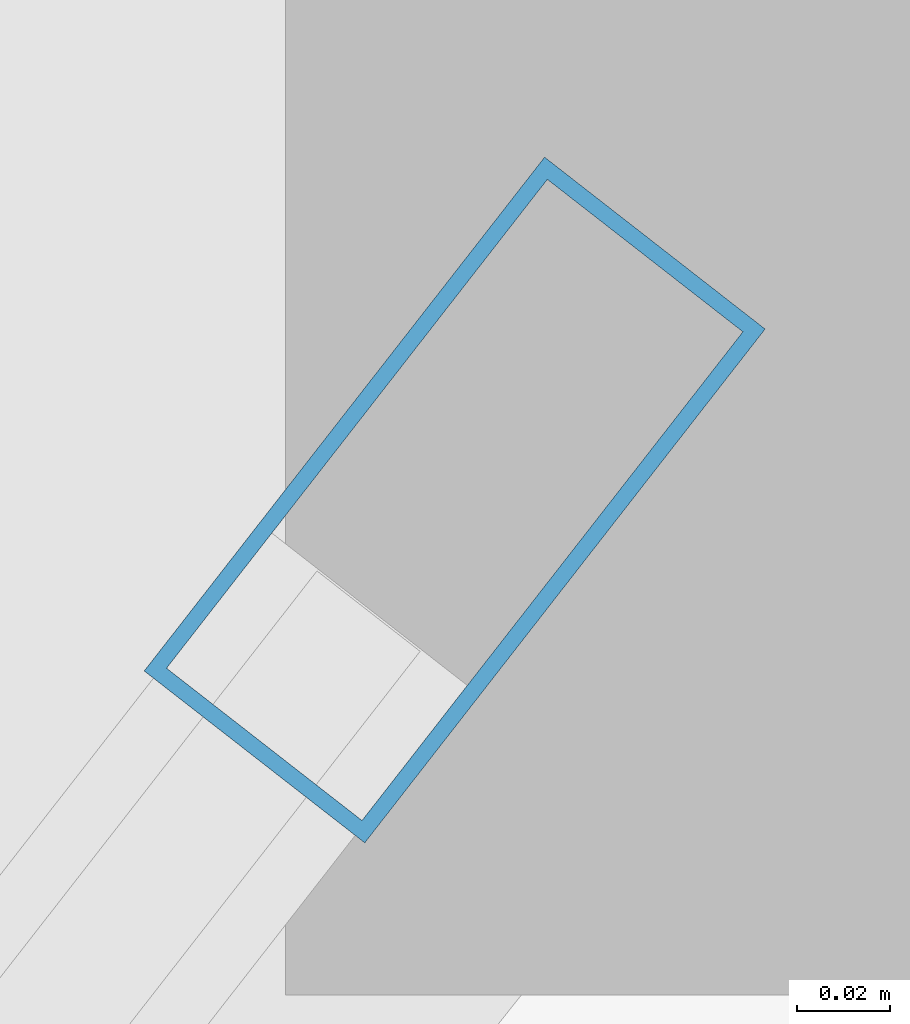
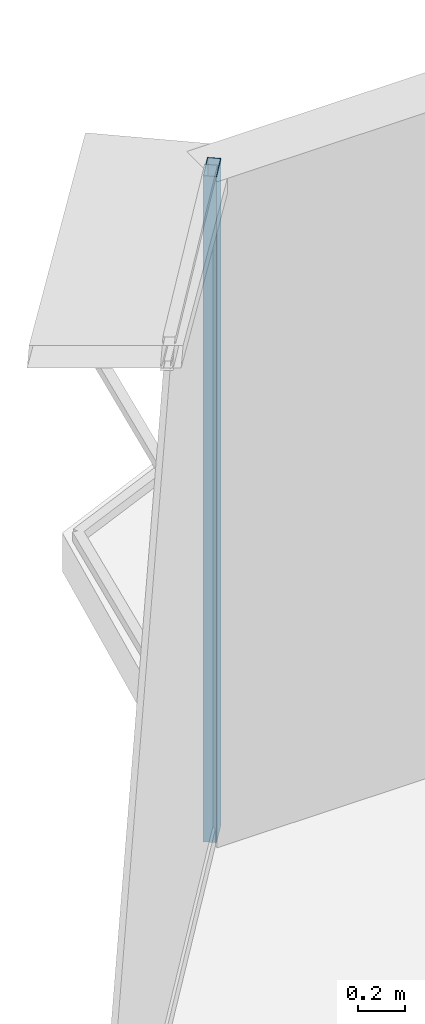
# One storey, part 21 of 37: 1 member, 1 element without a shape of its own.
"""IFC4 building model written with IfcOpenShell, lengths in metres."""

from ifc_helpers import new_model, si_unit, direction, frame, origin, origin_2d, place, context, subcontext, project, spatial, hollow_rectangle, extrude, source, transform, mapped, material, layer, layer_set, material_profile, profile_set, type_object, element, aggregate, save


model = new_model("IFC4")

# Units and contexts
model_context = context("Model", 3, precision=1e-05, world=origin(), true_north=direction((0.0, 1.0)))
body_context = subcontext(model_context, "Body", "Model", "MODEL_VIEW")
ifc_project = project(units=[si_unit("LENGTHUNIT", "METRE"), si_unit("AREAUNIT", "SQUARE_METRE"), si_unit("VOLUMEUNIT", "CUBIC_METRE"), si_unit("PLANEANGLEUNIT", "RADIAN"), si_unit("MASSUNIT", "GRAM", prefix="KILO"), si_unit("THERMODYNAMICTEMPERATUREUNIT", "KELVIN"), si_unit("POWERUNIT", "WATT")], contexts=[model_context])

# Site, building, storey
site_placement = place(None, origin())
site = spatial("IfcSite", under=ifc_project, at=site_placement, CompositionType="ELEMENT")
building_placement = place(site_placement, origin())
building = spatial("IfcBuilding", under=site, at=building_placement, Name="Yunzhuo Pagoda Commons", CompositionType="ELEMENT")
storey_placement = place(building_placement, frame((0.0, 0.0, 281.2900390625)))
storey = spatial("IfcBuildingStorey", under=building, at=storey_placement, Name="L70", CompositionType="ELEMENT", Elevation=281.2900390625)

# Curtain wall, member
ifc_material = material(Name="Anodized aluminium 6063-T6", Category="aluminium")
ifc_layer = layer(ifc_material, 0.139892578125)
ifc_layer_set = layer_set([ifc_layer], Name="Anodized aluminium 6063-T6")
curtain_wall_type = type_object("IfcCurtainWallType", Name="CW-HI High-Zone Ribbon Curtain Wall", PredefinedType="NOTDEFINED", material=ifc_layer_set)
curtain_wall_placement = place(storey_placement, origin())
curtain_wall = element("IfcCurtainWall", 1, at=curtain_wall_placement, inside=storey, type_object=curtain_wall_type, Name="L70 curtain wall CW-L70-F3B1", PredefinedType="NOTDEFINED")
ifc_material_profile = material_profile(ifc_material, hollow_rectangle(XDim=0.06005859375, YDim=0.139892578125, WallThickness=0.00341796875, at=origin_2d()), Name="Anodized aluminium 6063-T6")
ifc_profile_set = profile_set([ifc_material_profile], Name="Anodized aluminium 6063-T6")
member_type = type_object("IfcMemberType", Name="CW-HI-M Mullion RHS 140x60x3.5", PredefinedType="MULLION", material=ifc_profile_set)
shared_shape = source(origin(), body_context, "Body", "SweptSolid", [
    extrude(hollow_rectangle(XDim=0.06005859375, YDim=0.139892578125, WallThickness=0.00341796875, at=origin_2d()), origin(), (0.0, 0.0, 1.0), 3.469970703125),
])
member_placement = place(storey_placement, frame((44.404296875, 76.769287109375, 0.0), z_axis=(0.0, 0.0, 1.0), x_axis=(0.78878314481, -0.614671579353, 0.0)))
member = element("IfcMember", 2, at=member_placement, type_object=member_type, Name="CW mullion 1", PredefinedType="MULLION", context=body_context, shape_type="MappedRepresentation", body=[
    mapped(shared_shape, transform((0.0, 0.0, 0.0), scale=1.0)),
])
aggregate(curtain_wall, [member])

save(model, "model.ifc")
